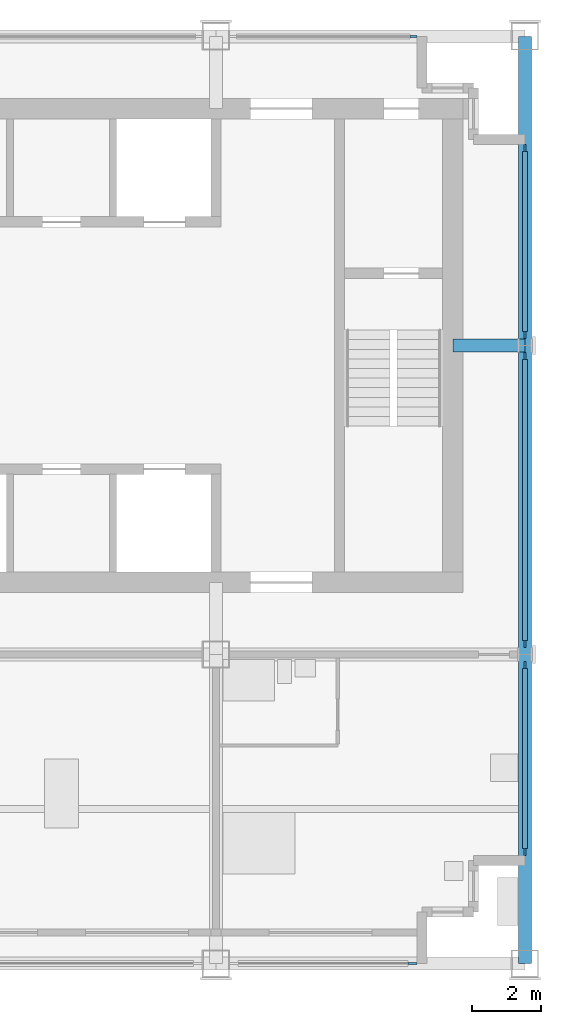
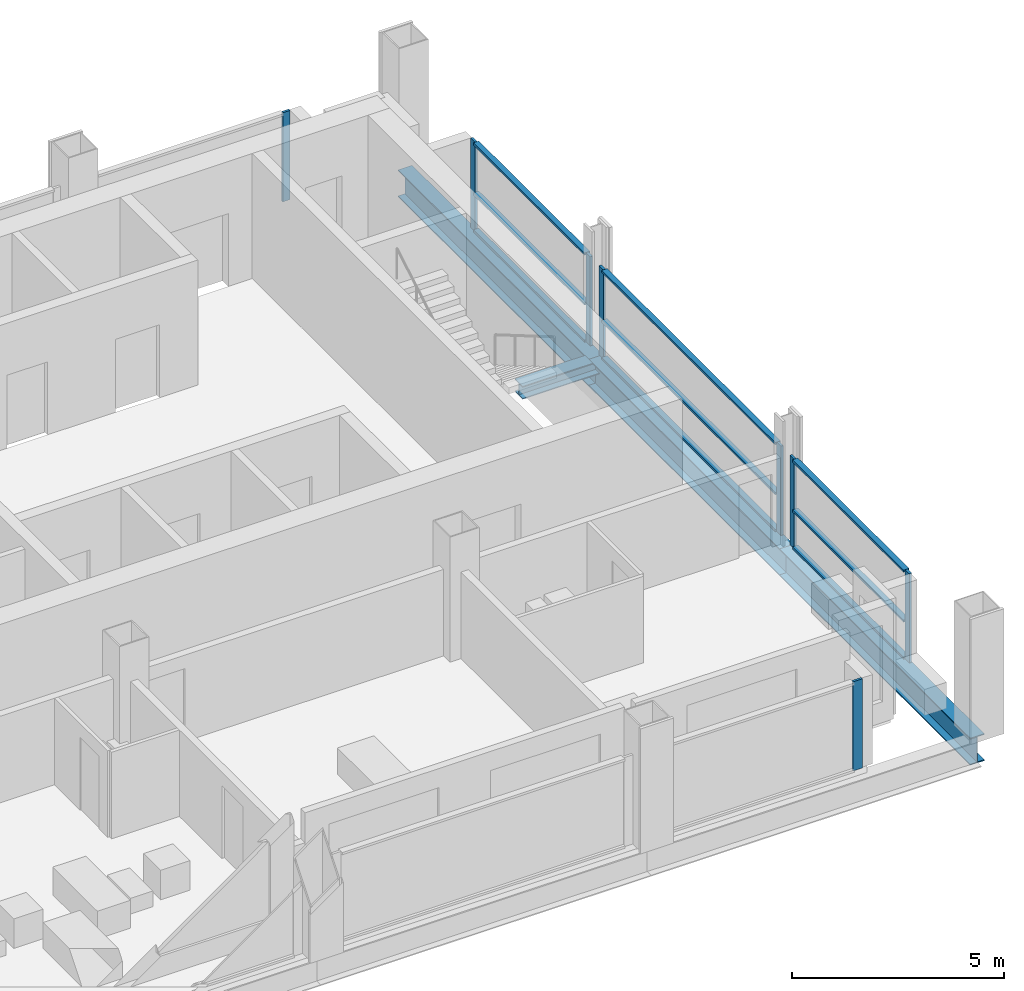
# One storey, part 4 of 11: 18 members, 3 beams, 5 elements without a shape of their own.
"""IFC4 building model written with IfcOpenShell, lengths in metres."""

import ifcopenshell
import ifcopenshell.guid

model = None  # the IFC model being written
_history = None  # IfcOwnerHistory: only IFC2X3 demands one
_inside = {}  # id of a spatial element -> (the spatial element, [elements in it])
_under = {}  # id of a project, library or spatial element -> (it, [spatial elements below it])
_declared = {}  # id of a project -> (the project, [libraries it declares])
_typed = {}  # id of a type object -> (the type object, [elements of that type])
_made_of = {}  # id of a material, layer set ... -> (it, [elements and type objects made of it])


def new_model(schema):
    """Start an empty IFC model of exactly this schema.

    Asked for "IFC4X3", IfcOpenShell would pick the latest addendum, in which some entities
    have other attributes; the version numbers below select the first issue.
    IFC2X3 requires an IfcOwnerHistory on every rooted entity: one is made here for all.
    """
    global model, _history
    if schema == "IFC4X3":
        model = ifcopenshell.file(schema_version=(4, 3, 0, 0))
    else:
        model = ifcopenshell.file(schema=schema)
    _inside.clear()
    _under.clear()
    _declared.clear()
    _typed.clear()
    _made_of.clear()
    _history = None
    if model.schema == "IFC2X3":
        org = make("IfcOrganization", Name="unknown")
        user = make(
            "IfcPersonAndOrganization",
            ThePerson=make("IfcPerson", FamilyName="unknown"),
            TheOrganization=org,
        )
        app = make(
            "IfcApplication",
            ApplicationDeveloper=org,
            Version="unknown",
            ApplicationFullName="unknown",
            ApplicationIdentifier="unknown",
        )
        _history = make(
            "IfcOwnerHistory",
            OwningUser=user,
            OwningApplication=app,
            ChangeAction="ADDED",
            CreationDate=0,
        )
    return model


def make(cls, **values):
    """One entity of the class cls with the attributes given. An attribute that is None is left unset."""
    return model.create_entity(
        cls, **{name: value for name, value in values.items() if value is not None}
    )


def rooted(cls, **values):
    """An entity with a GlobalId (a new one), such as an element, a storey or a relation."""
    return make(cls, GlobalId=ifcopenshell.guid.new(), OwnerHistory=_history, **values)


def si_unit(unit_type, name, prefix=None):
    """IfcSIUnit, for example si_unit("LENGTHUNIT", "METRE", prefix="MILLI")."""
    return make("IfcSIUnit", UnitType=unit_type, Prefix=prefix, Name=name)


def assignment(units):
    """IfcUnitAssignment: the units of a project."""
    return None if units is None else make("IfcUnitAssignment", Units=units)


def point(xyz):
    """IfcCartesianPoint."""
    return None if xyz is None else make("IfcCartesianPoint", Coordinates=xyz)


def direction(xyz):
    """IfcDirection."""
    return None if xyz is None else make("IfcDirection", DirectionRatios=xyz)


def frame(location, z_axis=None, x_axis=None):
    """IfcAxis2Placement3D, a coordinate frame: its origin and axes. An axis left out is left unset."""
    return make(
        "IfcAxis2Placement3D",
        Location=point(location),
        Axis=direction(z_axis),
        RefDirection=direction(x_axis),
    )


def frame_2d(location, x_axis=None):
    """IfcAxis2Placement2D, a coordinate frame in the plane: its origin and x axis."""
    return make(
        "IfcAxis2Placement2D", Location=point(location), RefDirection=direction(x_axis)
    )


def origin():
    """The frame at (0, 0, 0) with its axes left unset."""
    return frame((0.0, 0.0, 0.0))


def origin_2d():
    """The frame at (0, 0) in the plane with its x axis left unset."""
    return frame_2d((0.0, 0.0))


def place(relative_to, where):
    """IfcLocalPlacement: puts the frame where relative to a parent placement (None: the world)."""
    return make(
        "IfcLocalPlacement", PlacementRelTo=relative_to, RelativePlacement=where
    )


def context(
    kind, dimensions, precision=None, world=None, true_north=None, identifier=None
):
    """IfcGeometricRepresentationContext, for example the 3D "Model" context."""
    return make(
        "IfcGeometricRepresentationContext",
        ContextIdentifier=identifier,
        ContextType=kind,
        CoordinateSpaceDimension=dimensions,
        Precision=precision,
        WorldCoordinateSystem=world,
        TrueNorth=true_north,
    )


def subcontext(parent, identifier, kind, view, scale=None):
    """IfcGeometricRepresentationSubContext, for example "Body" below "Model"."""
    return make(
        "IfcGeometricRepresentationSubContext",
        ContextIdentifier=identifier,
        ContextType=kind,
        ParentContext=parent,
        TargetScale=scale,
        TargetView=view,
    )


def project(units=None, contexts=None):
    """IfcProject with its units and contexts."""
    return rooted(
        "IfcProject",
        Name="project",
        RepresentationContexts=contexts,
        UnitsInContext=assignment(units),
    )


def spatial(cls, under=None, at=None, **own):
    """A site, building, storey or space (cls), placed at a placement, below another one or the project."""
    s = rooted(cls, ObjectPlacement=at, **own)
    if under is not None:
        _under.setdefault(under.id(), (under, []))[1].append(s)
    return s


def profile(cls, at=None, kind="AREA", **sizes):
    """A parametric profile (cls). Its sizes go by their IFC names, for example OverallWidth=200.0."""
    return make(cls, ProfileType=kind, Position=at, **sizes)


def rectangle(**sizes):
    """IfcRectangleProfileDef."""
    return profile("IfcRectangleProfileDef", **sizes)


def i_section(**sizes):
    """IfcIShapeProfileDef."""
    return profile("IfcIShapeProfileDef", **sizes)


def extrude(swept, where, along, depth):
    """IfcExtrudedAreaSolid: the profile swept, set in the frame where, extruded along a direction by depth."""
    return make(
        "IfcExtrudedAreaSolid",
        SweptArea=swept,
        Position=where,
        ExtrudedDirection=direction(along),
        Depth=depth,
    )


def shape(context_of_items, identifier, shape_type, items):
    """IfcShapeRepresentation: the items that make up one representation, for example the "Body"."""
    return make(
        "IfcShapeRepresentation",
        ContextOfItems=context_of_items,
        RepresentationIdentifier=identifier,
        RepresentationType=shape_type,
        Items=items,
    )


def material(Name=None, Category=None):
    """IfcMaterial."""
    return make("IfcMaterial", Name=Name, Category=Category)


def material_profile(
    of_material, cross_section, Name=None, Category=None, Priority=None
):
    """IfcMaterialProfile: a cross section and its material."""
    return make(
        "IfcMaterialProfile",
        Name=Name,
        Material=of_material,
        Profile=cross_section,
        Priority=Priority,
        Category=Category,
    )


def profile_set(profiles, Name=None, composite=None):
    """IfcMaterialProfileSet."""
    return make(
        "IfcMaterialProfileSet",
        Name=Name,
        MaterialProfiles=profiles,
        CompositeProfile=composite,
    )


def made_of(thing, what):
    """Note that an element or type object is made of a material, layer set ...; save() writes the relation."""
    if what is not None:
        _made_of.setdefault(what.id(), (what, []))[1].append(thing)
    return thing


def type_object(cls, material=None, **own):
    """A type object (cls), such as IfcWallType, which elements share."""
    return made_of(rooted(cls, **own), material)


def element(
    cls,
    number,
    at=None,
    inside=None,
    cuts=None,
    type_object=None,
    material=None,
    context=None,
    identifier="Body",
    shape_type=None,
    held_by="IfcProductDefinitionShape",
    body=None,
    shapes=None,
    **own,
):
    """One element of the class cls, such as IfcWall. Its Tag is "e" and its number.

    at: its placement. inside: the storey or other place that contains it. cuts: it is an
    opening in that element (IfcRelVoidsElement). A single representation is given by context,
    identifier, shape_type and body (its items); several are given by shapes. held_by: the class
    of the entity that holds the representations. save() writes the other relations.
    """
    e = rooted(cls, Tag="e%d" % number, ObjectPlacement=at, **own)
    if body is not None:
        shapes = [shape(context, identifier, shape_type, body)]
    if shapes is not None:
        e.Representation = make(held_by, Representations=shapes)
    if inside is not None:
        _inside.setdefault(inside.id(), (inside, []))[1].append(e)
    if cuts is not None:
        rooted(
            "IfcRelVoidsElement", RelatingBuildingElement=cuts, RelatedOpeningElement=e
        )
    if type_object is not None:
        _typed.setdefault(type_object.id(), (type_object, []))[1].append(e)
    return made_of(e, material)


def aggregate(whole, parts):
    """IfcRelAggregates: a whole, such as a stair, and the parts it consists of."""
    return rooted("IfcRelAggregates", RelatingObject=whole, RelatedObjects=parts)


def save(model, path):
    """Write the relations noted so far, then the file.

    IfcRelAggregates (storeys below a building ...), IfcRelContainedInSpatialStructure (elements
    in a storey), IfcRelDefinesByType, IfcRelAssociatesMaterial and IfcRelDeclares: one each for
    every whole, place, type object, material and project.
    """
    for whole, parts in _under.values():
        aggregate(whole, parts)
    for where, things in _inside.values():
        rooted(
            "IfcRelContainedInSpatialStructure",
            RelatedElements=things,
            RelatingStructure=where,
        )
    for kind, things in _typed.values():
        rooted("IfcRelDefinesByType", RelatedObjects=things, RelatingType=kind)
    for what, things in _made_of.values():
        rooted("IfcRelAssociatesMaterial", RelatedObjects=things, RelatingMaterial=what)
    for by, libraries in _declared.values():
        rooted("IfcRelDeclares", RelatingContext=by, RelatedDefinitions=libraries)
    model.write(path)


model = new_model("IFC4")

# Units and contexts
model_context = context("Model", 3, precision=1e-05, world=origin(), true_north=direction((0.0, 1.0)))
body_context = subcontext(model_context, "Body", "Model", "MODEL_VIEW")
ifc_project = project(units=[si_unit("LENGTHUNIT", "METRE"), si_unit("AREAUNIT", "SQUARE_METRE"), si_unit("VOLUMEUNIT", "CUBIC_METRE"), si_unit("PLANEANGLEUNIT", "RADIAN"), si_unit("MASSUNIT", "GRAM", prefix="KILO")], contexts=[model_context])

# Site, building, storey
site_placement = place(None, origin())
site = spatial("IfcSite", under=ifc_project, at=site_placement, CompositionType="ELEMENT")
building_placement = place(site_placement, origin())
building = spatial("IfcBuilding", under=site, at=building_placement, Name="Loomwork Tower", CompositionType="ELEMENT")
storey_placement = place(building_placement, frame((0.0, 0.0, 266.199951171875)))
storey = spatial("IfcBuildingStorey", under=building, at=storey_placement, Name="L73", CompositionType="ELEMENT", Elevation=266.199951171875)

# Member
ifc_material_1 = material(Name="Steel ASTM A992", Category="steel")
ifc_material_profile_1 = material_profile(ifc_material_1, i_section(OverallWidth=0.373291015625, OverallDepth=0.373291015625, WebThickness=0.016357421875, FlangeThickness=0.026123046875, at=origin_2d()), Name="W14x132")
ifc_profile_set_1 = profile_set([ifc_material_profile_1], Name="Steel ASTM A992")
member_type_1 = type_object("IfcMemberType", Name="CORE LINK STRUT W14x132", PredefinedType="STRUT", material=ifc_profile_set_1)
member_1_placement = place(storey_placement, frame((36.0, 18.0, -0.38671875), z_axis=(-1.0, 0.0, 0.0), x_axis=(0.0, -1.0, 0.0)))
element("IfcMember", 1, at=member_1_placement, inside=storey, type_object=member_type_1, Name="Core link strut F/6-33.900,18.000 L73", PredefinedType="STRUT", context=body_context, shape_type="SweptSolid", body=[
    extrude(i_section(OverallWidth=0.373291015625, OverallDepth=0.373291015625, WebThickness=0.016357421875, FlangeThickness=0.026123046875, at=origin_2d()), origin(), (0.0, 0.0, 1.0), 2.10009765625),
])

# Curtain wall, member
ifc_material_2 = material(Name="Aluminium curtain wall frame", Category="aluminium")
curtain_wall_type_1 = type_object("IfcCurtainWallType", Name="Outer skin glazing suites", PredefinedType="NOTDEFINED", material=ifc_material_2)
curtain_wall_1_placement = place(storey_placement, origin())
curtain_wall_1 = element("IfcCurtainWall", 2, at=curtain_wall_1_placement, inside=storey, type_object=curtain_wall_type_1, Name="Outer skin glazing suites cw/S-27", PredefinedType="NOTDEFINED")
ifc_material_3 = material(Name="Aluminium curtain wall frame", Category="aluminium")
ifc_material_profile_2 = material_profile(ifc_material_3, rectangle(XDim=0.06494140625, YDim=0.25, at=origin_2d()), Name="AL 65x250")
ifc_profile_set_2 = profile_set([ifc_material_profile_2], Name="Aluminium curtain wall frame")
member_type_2 = type_object("IfcMemberType", Name="Outer skin glazing suites mullion", PredefinedType="MULLION", material=ifc_profile_set_2)
member_2_placement = place(storey_placement, frame((32.72509765625, 0.0, 0.0), z_axis=(0.0, 0.0, 1.0), x_axis=(0.0, 1.0, 0.0)))
member_2 = element("IfcMember", 3, at=member_2_placement, type_object=member_type_2, Name="CW2 mullion 2", PredefinedType="MULLION", context=body_context, shape_type="SweptSolid", body=[
    extrude(rectangle(XDim=0.06494140625, YDim=0.25, at=origin_2d()), origin(), (0.0, 0.0, 1.0), 2.5703125),
])
aggregate(curtain_wall_1, [member_2])

# Beams
ifc_material_4 = material(Name="Steel ASTM A992", Category="steel")
ifc_material_profile_3 = material_profile(ifc_material_4, i_section(OverallWidth=0.381103515625, OverallDepth=0.77978515625, WebThickness=0.01806640625, FlangeThickness=0.0302734375, at=origin_2d()), Name="W30x191")
ifc_profile_set_3 = profile_set([ifc_material_profile_3], Name="Steel ASTM A992")
beam_type = type_object("IfcBeamType", Name="SPANDREL GIRDER W30x191", PredefinedType="SPANDREL", material=ifc_profile_set_3)
for number, where, z_axis, x_axis, name in (
    (4, (36.0, 0.0, -0.58984375), (0.0, 1.0, 0.0), (-1.0, 0.0, 0.0), "Spandrel Girder D/6-E/6 L73"),
    (5, (36.0, 9.0, -0.58984375), (0.0, 1.0, 0.0), (-1.0, 0.0, 0.0), "Spandrel Girder E/6-F/6 L73"),
    (6, (36.0, 18.0, -0.58984375), (0.0, 1.0, 0.0), (-1.0, 0.0, 0.0), "Spandrel Girder F/6-G/6 L73"),
):
    element("IfcBeam", number, at=place(storey_placement, frame(where, z_axis=z_axis, x_axis=x_axis)), inside=storey, type_object=beam_type, Name=name, PredefinedType="SPANDREL", context=body_context, shape_type="SweptSolid", body=[
        extrude(i_section(OverallWidth=0.381103515625, OverallDepth=0.77978515625, WebThickness=0.01806640625, FlangeThickness=0.0302734375, at=origin_2d()), origin(), (0.0, 0.0, 1.0), 9.0),
    ])

# Curtain wall, member
ifc_material_5 = material(Name="Aluminium curtain wall frame", Category="aluminium")
curtain_wall_type_2 = type_object("IfcCurtainWallType", Name="Single skin glazing corridor", PredefinedType="NOTDEFINED", material=ifc_material_5)
curtain_wall_2_placement = place(storey_placement, origin())
curtain_wall_2 = element("IfcCurtainWall", 7, at=curtain_wall_2_placement, inside=storey, type_object=curtain_wall_type_2, Name="Single skin glazing corridor cw/N-27", PredefinedType="NOTDEFINED")
ifc_material_6 = material(Name="Aluminium curtain wall frame", Category="aluminium")
ifc_material_profile_4 = material_profile(ifc_material_6, rectangle(XDim=0.06494140625, YDim=0.199951171875, at=origin_2d()), Name="AL 65x200")
ifc_profile_set_4 = profile_set([ifc_material_profile_4], Name="Aluminium curtain wall frame")
member_type_3 = type_object("IfcMemberType", Name="Single skin glazing corridor mullion", PredefinedType="MULLION", material=ifc_profile_set_4)
member_3_placement = place(storey_placement, frame((32.75, 27.0, 0.0), z_axis=(0.0, 0.0, 1.0), x_axis=(0.0, -1.0, 0.0)))
member_3 = element("IfcMember", 8, at=member_3_placement, type_object=member_type_3, Name="CW3 mullion 1", PredefinedType="MULLION", context=body_context, shape_type="SweptSolid", body=[
    extrude(rectangle(XDim=0.06494140625, YDim=0.199951171875, at=origin_2d()), origin(), (0.0, 0.0, 1.0), 2.5703125),
])
aggregate(curtain_wall_2, [member_3])

# Curtain wall, members
curtain_wall_3_placement = place(storey_placement, origin())
curtain_wall_3 = element("IfcCurtainWall", 9, at=curtain_wall_3_placement, inside=storey, type_object=curtain_wall_type_2, Name="Single skin glazing corridor cw/E-0", PredefinedType="NOTDEFINED")
member_4_placement = place(storey_placement, frame((36.0, 3.25, 0.0), z_axis=(0.0, 0.0, 1.0), x_axis=(-1.0, 0.0, 0.0)))
member_4 = element("IfcMember", 10, at=member_4_placement, type_object=member_type_3, Name="CW3 mullion 1", PredefinedType="MULLION", context=body_context, shape_type="SweptSolid", body=[
    extrude(rectangle(XDim=0.06494140625, YDim=0.199951171875, at=origin_2d()), origin(), (0.0, 0.0, 1.0), 2.5703125),
])
member_5_placement = place(storey_placement, frame((36.0, 8.691650390625, 0.0), z_axis=(0.0, 0.0, 1.0), x_axis=(-1.0, 0.0, 0.0)))
member_5 = element("IfcMember", 11, at=member_5_placement, type_object=member_type_3, Name="CW3 mullion 2", PredefinedType="MULLION", context=body_context, shape_type="SweptSolid", body=[
    extrude(rectangle(XDim=0.06494140625, YDim=0.199951171875, at=origin_2d()), origin(), (0.0, 0.0, 1.0), 2.5703125),
])

curtain_wall_4_placement = place(storey_placement, origin())
curtain_wall_4 = element("IfcCurtainWall", 12, at=curtain_wall_4_placement, inside=storey, type_object=curtain_wall_type_2, Name="Single skin glazing corridor cw/E-9", PredefinedType="NOTDEFINED")
member_6_placement = place(storey_placement, frame((36.0, 9.308349609375, 0.0), z_axis=(0.0, 0.0, 1.0), x_axis=(-1.0, 0.0, 0.0)))
member_6 = element("IfcMember", 13, at=member_6_placement, type_object=member_type_3, Name="CW3 mullion 1", PredefinedType="MULLION", context=body_context, shape_type="SweptSolid", body=[
    extrude(rectangle(XDim=0.06494140625, YDim=0.199951171875, at=origin_2d()), origin(), (0.0, 0.0, 1.0), 2.5703125),
])
member_7_placement = place(storey_placement, frame((36.0, 17.691650390625, 0.0), z_axis=(0.0, 0.0, 1.0), x_axis=(-1.0, 0.0, 0.0)))
member_7 = element("IfcMember", 14, at=member_7_placement, type_object=member_type_3, Name="CW3 mullion 2", PredefinedType="MULLION", context=body_context, shape_type="SweptSolid", body=[
    extrude(rectangle(XDim=0.06494140625, YDim=0.199951171875, at=origin_2d()), origin(), (0.0, 0.0, 1.0), 2.5703125),
])

curtain_wall_5_placement = place(storey_placement, origin())
curtain_wall_5 = element("IfcCurtainWall", 15, at=curtain_wall_5_placement, inside=storey, type_object=curtain_wall_type_2, Name="Single skin glazing corridor cw/E-18", PredefinedType="NOTDEFINED")
member_8_placement = place(storey_placement, frame((36.0, 18.308349609375, 0.0), z_axis=(0.0, 0.0, 1.0), x_axis=(-1.0, 0.0, 0.0)))
member_8 = element("IfcMember", 16, at=member_8_placement, type_object=member_type_3, Name="CW3 mullion 1", PredefinedType="MULLION", context=body_context, shape_type="SweptSolid", body=[
    extrude(rectangle(XDim=0.06494140625, YDim=0.199951171875, at=origin_2d()), origin(), (0.0, 0.0, 1.0), 2.5703125),
])
member_9_placement = place(storey_placement, frame((36.0, 23.75, 0.0), z_axis=(0.0, 0.0, 1.0), x_axis=(-1.0, 0.0, 0.0)))
member_9 = element("IfcMember", 17, at=member_9_placement, type_object=member_type_3, Name="CW3 mullion 2", PredefinedType="MULLION", context=body_context, shape_type="SweptSolid", body=[
    extrude(rectangle(XDim=0.06494140625, YDim=0.199951171875, at=origin_2d()), origin(), (0.0, 0.0, 1.0), 2.5703125),
])

# Member
ifc_material_7 = material(Name="Aluminium curtain wall frame", Category="aluminium")
ifc_material_profile_5 = material_profile(ifc_material_7, rectangle(XDim=0.14990234375, YDim=0.06494140625, at=origin_2d()), Name="AL 65x150")
ifc_profile_set_5 = profile_set([ifc_material_profile_5], Name="Aluminium curtain wall frame")
member_type_4 = type_object("IfcMemberType", Name="Single skin glazing corridor transom", PredefinedType="USERDEFINED", material=ifc_profile_set_5)
member_10_placement = place(storey_placement, frame((36.0, 3.35009765625, 0.032470703125), z_axis=(0.0, 1.0, 0.0), x_axis=(-1.0, 0.0, 0.0)))
member_10 = element("IfcMember", 18, at=member_10_placement, type_object=member_type_4, Name="CW3 transom 1.1", ObjectType="TRANSOM", PredefinedType="USERDEFINED", context=body_context, shape_type="SweptSolid", body=[
    extrude(rectangle(XDim=0.14990234375, YDim=0.06494140625, at=origin_2d()), origin(), (0.0, 0.0, 1.0), 5.24169921875),
])

member_11_placement = place(storey_placement, frame((36.0, 3.35009765625, 1.10009765625), z_axis=(0.0, 1.0, 0.0), x_axis=(-1.0, 0.0, 0.0)))
member_11 = element("IfcMember", 19, at=member_11_placement, type_object=member_type_4, Name="CW3 transom 1.2", ObjectType="TRANSOM", PredefinedType="USERDEFINED", context=body_context, shape_type="SweptSolid", body=[
    extrude(rectangle(XDim=0.14990234375, YDim=0.06494140625, at=origin_2d()), origin(), (0.0, 0.0, 1.0), 5.24169921875),
])

member_12_placement = place(storey_placement, frame((36.0, 3.35009765625, 2.537841796875), z_axis=(0.0, 1.0, 0.0), x_axis=(-1.0, 0.0, 0.0)))
member_12 = element("IfcMember", 20, at=member_12_placement, type_object=member_type_4, Name="CW3 transom 1.3", ObjectType="TRANSOM", PredefinedType="USERDEFINED", context=body_context, shape_type="SweptSolid", body=[
    extrude(rectangle(XDim=0.14990234375, YDim=0.06494140625, at=origin_2d()), origin(), (0.0, 0.0, 1.0), 5.24169921875),
])

aggregate(curtain_wall_3, [member_4, member_5, member_10, member_11, member_12])

member_13_placement = place(storey_placement, frame((36.0, 9.408203125, 0.032470703125), z_axis=(0.0, 1.0, 0.0), x_axis=(-1.0, 0.0, 0.0)))
member_13 = element("IfcMember", 21, at=member_13_placement, type_object=member_type_4, Name="CW3 transom 1.1", ObjectType="TRANSOM", PredefinedType="USERDEFINED", context=body_context, shape_type="SweptSolid", body=[
    extrude(rectangle(XDim=0.14990234375, YDim=0.06494140625, at=origin_2d()), origin(), (0.0, 0.0, 1.0), 8.18359375),
])

member_14_placement = place(storey_placement, frame((36.0, 9.408203125, 1.10009765625), z_axis=(0.0, 1.0, 0.0), x_axis=(-1.0, 0.0, 0.0)))
member_14 = element("IfcMember", 22, at=member_14_placement, type_object=member_type_4, Name="CW3 transom 1.2", ObjectType="TRANSOM", PredefinedType="USERDEFINED", context=body_context, shape_type="SweptSolid", body=[
    extrude(rectangle(XDim=0.14990234375, YDim=0.06494140625, at=origin_2d()), origin(), (0.0, 0.0, 1.0), 8.18359375),
])

member_15_placement = place(storey_placement, frame((36.0, 9.408203125, 2.537841796875), z_axis=(0.0, 1.0, 0.0), x_axis=(-1.0, 0.0, 0.0)))
member_15 = element("IfcMember", 23, at=member_15_placement, type_object=member_type_4, Name="CW3 transom 1.3", ObjectType="TRANSOM", PredefinedType="USERDEFINED", context=body_context, shape_type="SweptSolid", body=[
    extrude(rectangle(XDim=0.14990234375, YDim=0.06494140625, at=origin_2d()), origin(), (0.0, 0.0, 1.0), 8.18359375),
])

aggregate(curtain_wall_4, [member_6, member_7, member_13, member_14, member_15])

member_16_placement = place(storey_placement, frame((36.0, 18.408203125, 0.032470703125), z_axis=(0.0, 1.0, 0.0), x_axis=(-1.0, 0.0, 0.0)))
member_16 = element("IfcMember", 24, at=member_16_placement, type_object=member_type_4, Name="CW3 transom 1.1", ObjectType="TRANSOM", PredefinedType="USERDEFINED", context=body_context, shape_type="SweptSolid", body=[
    extrude(rectangle(XDim=0.14990234375, YDim=0.06494140625, at=origin_2d()), origin(), (0.0, 0.0, 1.0), 5.24169921875),
])

member_17_placement = place(storey_placement, frame((36.0, 18.408203125, 1.10009765625), z_axis=(0.0, 1.0, 0.0), x_axis=(-1.0, 0.0, 0.0)))
member_17 = element("IfcMember", 25, at=member_17_placement, type_object=member_type_4, Name="CW3 transom 1.2", ObjectType="TRANSOM", PredefinedType="USERDEFINED", context=body_context, shape_type="SweptSolid", body=[
    extrude(rectangle(XDim=0.14990234375, YDim=0.06494140625, at=origin_2d()), origin(), (0.0, 0.0, 1.0), 5.24169921875),
])

member_18_placement = place(storey_placement, frame((36.0, 18.408203125, 2.537841796875), z_axis=(0.0, 1.0, 0.0), x_axis=(-1.0, 0.0, 0.0)))
member_18 = element("IfcMember", 26, at=member_18_placement, type_object=member_type_4, Name="CW3 transom 1.3", ObjectType="TRANSOM", PredefinedType="USERDEFINED", context=body_context, shape_type="SweptSolid", body=[
    extrude(rectangle(XDim=0.14990234375, YDim=0.06494140625, at=origin_2d()), origin(), (0.0, 0.0, 1.0), 5.24169921875),
])

aggregate(curtain_wall_5, [member_8, member_9, member_16, member_17, member_18])

save(model, "model.ifc")
